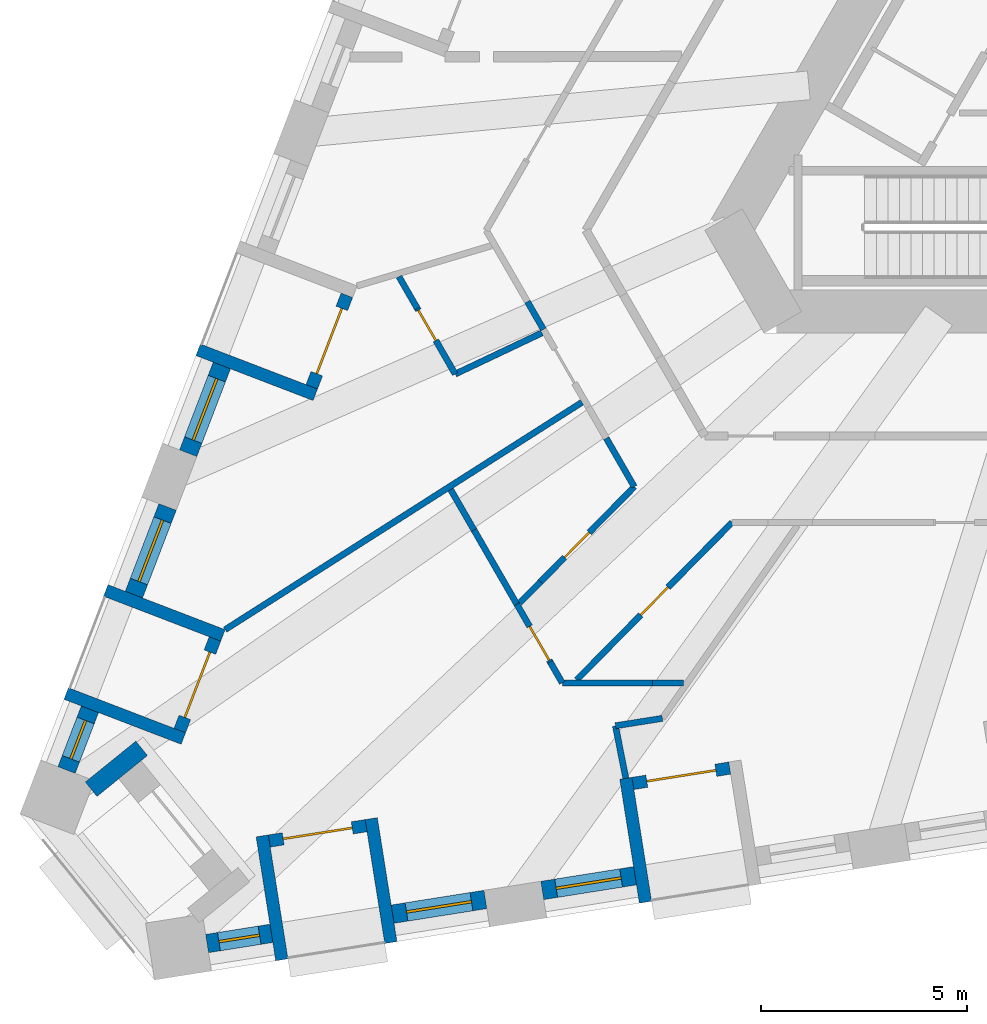
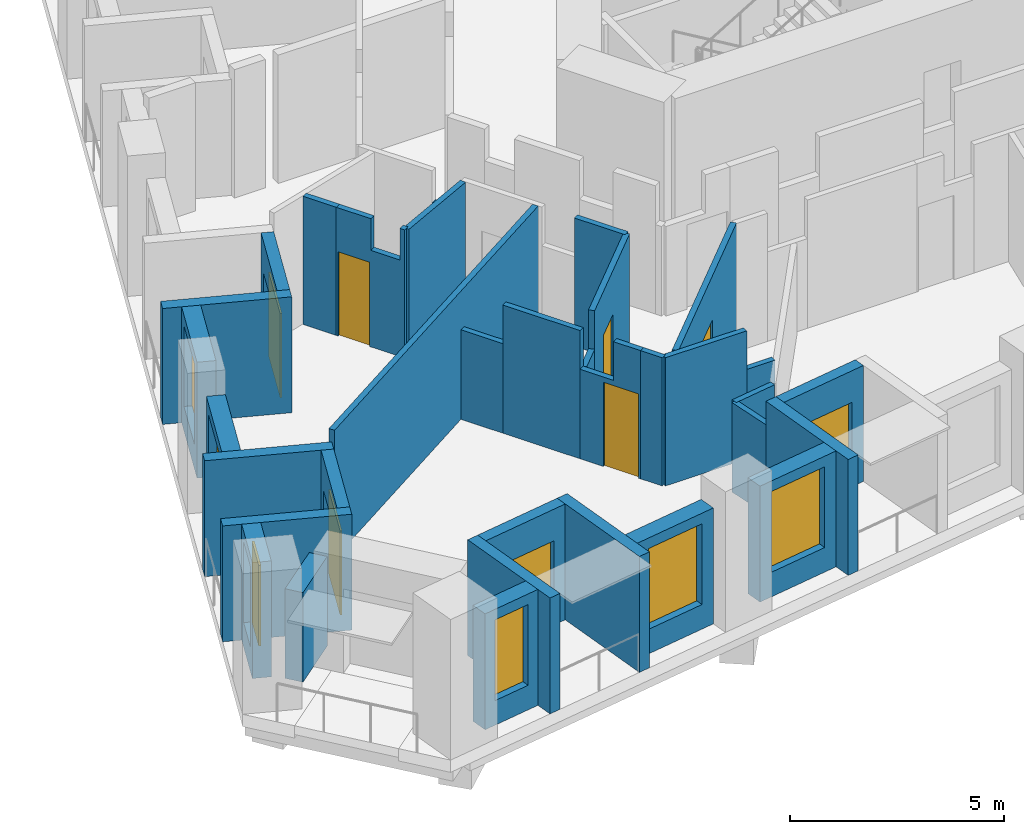
# One storey, part 2 of 14: 34 walls, 8 doors, 6 windows, 14 openings.
"""IFC4 building model written with IfcOpenShell, lengths in metres."""

from ifc_helpers import new_model, si_unit, direction, frame, frame_2d, origin, place, context, subcontext, project, spatial, polyline, rectangle, outline, extrude, material, layer, layer_set, type_object, element, fill, save


model = new_model("IFC4")

# Units and contexts
model_context = context("Model", 3, precision=1e-05, world=origin(), true_north=direction((0.0, 1.0)))
body_context = subcontext(model_context, "Body", "Model", "MODEL_VIEW")
ifc_project = project(units=[si_unit("LENGTHUNIT", "METRE"), si_unit("AREAUNIT", "SQUARE_METRE"), si_unit("VOLUMEUNIT", "CUBIC_METRE"), si_unit("PLANEANGLEUNIT", "RADIAN"), si_unit("MASSUNIT", "GRAM", prefix="KILO")], contexts=[model_context])

# Site, building, storey
site_placement = place(None, origin())
site = spatial("IfcSite", under=ifc_project, at=site_placement, CompositionType="ELEMENT")
building_placement = place(site_placement, origin())
building = spatial("IfcBuilding", under=site, at=building_placement, Name="Tramontana Tower", CompositionType="ELEMENT")
storey_placement = place(building_placement, frame((0.0, 0.0, 67.199951171875)))
storey = spatial("IfcBuildingStorey", under=building, at=storey_placement, Name="L14", CompositionType="ELEMENT", Elevation=67.199951171875)

# Wall, opening, window
ifc_material_1 = material(Name="Precast concrete 60 MPa", Category="concrete")
ifc_layer_1 = layer(ifc_material_1, 0.449951171875)
ifc_layer_set_1 = layer_set([ifc_layer_1], Name="Precast concrete 60 MPa, 450 mm")
wall_type_1 = type_object("IfcWallType", Name="EW1 Stone-faced precast wall 450", PredefinedType="SOLIDWALL", material=ifc_layer_set_1)
wall_1_placement = place(storey_placement, frame((-21.986083984375, -7.536376953125, 0.0), z_axis=(0.0, 0.0, 1.0), x_axis=(-0.358355550725, -0.933585185864, 0.0)))
wall_1 = element("IfcWall", 1, at=wall_1_placement, inside=storey, type_object=wall_type_1, Name="External wall L14 face 0 bay 5", PredefinedType="SOLIDWALL", context=body_context, shape_type="SweptSolid", body=[
    extrude(rectangle(XDim=2.282958984375, YDim=0.449951171875, at=frame_2d((1.1416015625, 0.0))), origin(), (0.0, 0.0, 1.0), 3.300048828125),
])
opening_1_placement = place(wall_1_placement, frame((0.341552734375, 0.0, 0.699951171875)))
opening_1 = element("IfcOpeningElement", 2, at=opening_1_placement, cuts=wall_1, Name="Opening M1", PredefinedType="OPENING", context=body_context, shape_type="SweptSolid", body=[
    extrude(rectangle(XDim=1.60009765625, YDim=2.300048828125, at=frame_2d((0.800048828125, 1.14990234375))), frame((0.0, 0.23486328125, 0.0), z_axis=(0.0, -1.0, 0.0), x_axis=(1.0, 0.0, 0.0)), (0.0, 0.0, 1.0), 0.469970703125),
])
ifc_material_2 = material(Name="Aluminum frame, double glazing unit", Category="aluminium")
window_type_1 = type_object("IfcWindowType", Name="M1 Window 1.6 x 2.3", PartitioningType="SINGLE_PANEL", PredefinedType="WINDOW", material=ifc_material_2)
window_1_placement = place(opening_1_placement, origin())
window_1 = element("IfcWindow", 3, at=window_1_placement, inside=storey, type_object=window_type_1, Name="Window M1 L14 face 0 module 15", OverallHeight=2.300048828125, OverallWidth=1.60009765625, PartitioningType="SINGLE_PANEL", PredefinedType="WINDOW", context=body_context, shape_type="SweptSolid", body=[
    extrude(rectangle(XDim=1.60009765625, YDim=2.300048828125, at=frame_2d((0.800048828125, 1.14990234375))), frame((0.0, 0.030029296875, 0.0), z_axis=(0.0, -1.0, 0.0), x_axis=(1.0, 0.0, 0.0)), (0.0, 0.0, 1.0), 0.06005859375),
])
fill(opening_1, window_1)

wall_2_placement = place(storey_placement, frame((-23.305908203125, -10.974609375, 0.0), z_axis=(0.0, 0.0, 1.0), x_axis=(-0.358355550725, -0.933585185864, 0.0)))
wall_2 = element("IfcWall", 4, at=wall_2_placement, inside=storey, type_object=wall_type_1, Name="External wall L14 face 0 bay 6", PredefinedType="SOLIDWALL", context=body_context, shape_type="SweptSolid", body=[
    extrude(rectangle(XDim=2.282958984375, YDim=0.449951171875, at=frame_2d((1.1416015625, 0.0))), origin(), (0.0, 0.0, 1.0), 3.300048828125),
])
opening_2_placement = place(wall_2_placement, frame((0.341552734375, 0.0, 0.699951171875)))
opening_2 = element("IfcOpeningElement", 5, at=opening_2_placement, cuts=wall_2, Name="Opening M1", PredefinedType="OPENING", context=body_context, shape_type="SweptSolid", body=[
    extrude(rectangle(XDim=1.60009765625, YDim=2.300048828125, at=frame_2d((0.800048828125, 1.14990234375))), frame((0.0, 0.23486328125, 0.0), z_axis=(0.0, -1.0, 0.0), x_axis=(1.0, 0.0, 0.0)), (0.0, 0.0, 1.0), 0.469970703125),
])
window_2_placement = place(opening_2_placement, origin())
window_2 = element("IfcWindow", 6, at=window_2_placement, inside=storey, type_object=window_type_1, Name="Window M1 L14 face 0 module 16", OverallHeight=2.300048828125, OverallWidth=1.60009765625, PartitioningType="SINGLE_PANEL", PredefinedType="WINDOW", context=body_context, shape_type="SweptSolid", body=[
    extrude(rectangle(XDim=1.60009765625, YDim=2.300048828125, at=frame_2d((0.800048828125, 1.14990234375))), frame((0.0, 0.030029296875, 0.0), z_axis=(0.0, -1.0, 0.0), x_axis=(1.0, 0.0, 0.0)), (0.0, 0.0, 1.0), 0.06005859375),
])
fill(opening_2, window_2)

wall_3_placement = place(storey_placement, frame((-25.193115234375, -15.890869140625, 0.0), z_axis=(0.0, 0.0, 1.0), x_axis=(-0.358431261356, -0.933556120907, 0.0)))
wall_3 = element("IfcWall", 7, at=wall_3_placement, inside=storey, type_object=wall_type_1, Name="External wall L14 face 0 bay 6", PredefinedType="SOLIDWALL", context=body_context, shape_type="SweptSolid", body=[
    extrude(rectangle(XDim=1.5830078125, YDim=0.449951171875, at=frame_2d((0.79150390625, 0.0))), origin(), (0.0, 0.0, 1.0), 3.300048828125),
])
opening_3_placement = place(wall_3_placement, frame((0.29150390625, 0.0, 0.699951171875)))
opening_3 = element("IfcOpeningElement", 8, at=opening_3_placement, cuts=wall_3, Name="Opening N1", PredefinedType="OPENING", context=body_context, shape_type="SweptSolid", body=[
    extrude(rectangle(XDim=1.0, YDim=2.300048828125, at=frame_2d((0.5, 1.14990234375))), frame((0.0, 0.23486328125, 0.0), z_axis=(0.0, -1.0, 0.0), x_axis=(1.0, 0.0, 0.0)), (0.0, 0.0, 1.0), 0.469970703125),
])
ifc_material_3 = material(Name="Aluminum frame, double glazing unit", Category="aluminium")
window_type_2 = type_object("IfcWindowType", Name="N1 Window 1 x 2.3", PartitioningType="SINGLE_PANEL", PredefinedType="WINDOW", material=ifc_material_3)
window_3_placement = place(opening_3_placement, origin())
window_3 = element("IfcWindow", 9, at=window_3_placement, inside=storey, type_object=window_type_2, Name="Window N1 L14 face 0 module 18", OverallHeight=2.300048828125, OverallWidth=1.0, PartitioningType="SINGLE_PANEL", PredefinedType="WINDOW", context=body_context, shape_type="SweptSolid", body=[
    extrude(rectangle(XDim=1.0, YDim=2.300048828125, at=frame_2d((0.5, 1.14990234375))), frame((0.0, 0.030029296875, 0.0), z_axis=(0.0, -1.0, 0.0), x_axis=(1.0, 0.0, 0.0)), (0.0, 0.0, 1.0), 0.06005859375),
])
fill(opening_3, window_3)

wall_4_placement = place(storey_placement, frame((-22.344970703125, -21.586181640625, 0.0), z_axis=(0.0, 0.0, 1.0), x_axis=(0.987695344573, 0.156390237257, 0.0)))
wall_4 = element("IfcWall", 10, at=wall_4_placement, inside=storey, type_object=wall_type_1, Name="External wall L14 face 1 bay 1", PredefinedType="SOLIDWALL", context=body_context, shape_type="SweptSolid", body=[
    extrude(rectangle(XDim=1.5830078125, YDim=0.449951171875, at=frame_2d((0.79150390625, 0.0))), origin(), (0.0, 0.0, 1.0), 3.300048828125),
])
opening_4_placement = place(wall_4_placement, frame((0.29150390625, 0.0, 0.699951171875)))
opening_4 = element("IfcOpeningElement", 11, at=opening_4_placement, cuts=wall_4, Name="Opening N1", PredefinedType="OPENING", context=body_context, shape_type="SweptSolid", body=[
    extrude(rectangle(XDim=1.0, YDim=2.300048828125, at=frame_2d((0.5, 1.14990234375))), frame((0.0, 0.23486328125, 0.0), z_axis=(0.0, -1.0, 0.0), x_axis=(1.0, 0.0, 0.0)), (0.0, 0.0, 1.0), 0.469970703125),
])
window_4_placement = place(opening_4_placement, origin())
window_4 = element("IfcWindow", 12, at=window_4_placement, inside=storey, type_object=window_type_2, Name="Window N1 L14 face 1 module 1", OverallHeight=2.300048828125, OverallWidth=1.0, PartitioningType="SINGLE_PANEL", PredefinedType="WINDOW", context=body_context, shape_type="SweptSolid", body=[
    extrude(rectangle(XDim=1.0, YDim=2.300048828125, at=frame_2d((0.5, 1.14990234375))), frame((0.0, 0.030029296875, 0.0), z_axis=(0.0, -1.0, 0.0), x_axis=(1.0, 0.0, 0.0)), (0.0, 0.0, 1.0), 0.06005859375),
])
fill(opening_4, window_4)

wall_5_placement = place(storey_placement, frame((-17.835205078125, -20.8720703125, 0.0), z_axis=(0.0, 0.0, 1.0), x_axis=(0.987685675151, 0.156451293065, 0.0)))
wall_5 = element("IfcWall", 13, at=wall_5_placement, inside=storey, type_object=wall_type_1, Name="External wall L14 face 1 bay 1", PredefinedType="SOLIDWALL", context=body_context, shape_type="SweptSolid", body=[
    extrude(rectangle(XDim=2.282958984375, YDim=0.449951171875, at=frame_2d((1.1416015625, 0.0))), origin(), (0.0, 0.0, 1.0), 3.300048828125),
])
opening_5_placement = place(wall_5_placement, frame((0.341552734375, 0.0, 0.699951171875)))
opening_5 = element("IfcOpeningElement", 14, at=opening_5_placement, cuts=wall_5, Name="Opening M1", PredefinedType="OPENING", context=body_context, shape_type="SweptSolid", body=[
    extrude(rectangle(XDim=1.60009765625, YDim=2.300048828125, at=frame_2d((0.800048828125, 1.14990234375))), frame((0.0, 0.23486328125, 0.0), z_axis=(0.0, -1.0, 0.0), x_axis=(1.0, 0.0, 0.0)), (0.0, 0.0, 1.0), 0.469970703125),
])
window_5_placement = place(opening_5_placement, origin())
window_5 = element("IfcWindow", 15, at=window_5_placement, inside=storey, type_object=window_type_1, Name="Window M1 L14 face 1 module 3", OverallHeight=2.300048828125, OverallWidth=1.60009765625, PartitioningType="SINGLE_PANEL", PredefinedType="WINDOW", context=body_context, shape_type="SweptSolid", body=[
    extrude(rectangle(XDim=1.60009765625, YDim=2.300048828125, at=frame_2d((0.800048828125, 1.14990234375))), frame((0.0, 0.030029296875, 0.0), z_axis=(0.0, -1.0, 0.0), x_axis=(1.0, 0.0, 0.0)), (0.0, 0.0, 1.0), 0.06005859375),
])
fill(opening_5, window_5)

wall_6_placement = place(storey_placement, frame((-14.19775390625, -20.2958984375, 0.0), z_axis=(0.0, 0.0, 1.0), x_axis=(0.987685675151, 0.156451293065, 0.0)))
wall_6 = element("IfcWall", 16, at=wall_6_placement, inside=storey, type_object=wall_type_1, Name="External wall L14 face 1 bay 2", PredefinedType="SOLIDWALL", context=body_context, shape_type="SweptSolid", body=[
    extrude(rectangle(XDim=2.282958984375, YDim=0.449951171875, at=frame_2d((1.1416015625, 0.0))), origin(), (0.0, 0.0, 1.0), 3.300048828125),
])
opening_6_placement = place(wall_6_placement, frame((0.341552734375, 0.0, 0.699951171875)))
opening_6 = element("IfcOpeningElement", 17, at=opening_6_placement, cuts=wall_6, Name="Opening M1", PredefinedType="OPENING", context=body_context, shape_type="SweptSolid", body=[
    extrude(rectangle(XDim=1.60009765625, YDim=2.300048828125, at=frame_2d((0.800048828125, 1.14990234375))), frame((0.0, 0.23486328125, 0.0), z_axis=(0.0, -1.0, 0.0), x_axis=(1.0, 0.0, 0.0)), (0.0, 0.0, 1.0), 0.469970703125),
])
window_6_placement = place(opening_6_placement, origin())
window_6 = element("IfcWindow", 18, at=window_6_placement, inside=storey, type_object=window_type_1, Name="Window M1 L14 face 1 module 4", OverallHeight=2.300048828125, OverallWidth=1.60009765625, PartitioningType="SINGLE_PANEL", PredefinedType="WINDOW", context=body_context, shape_type="SweptSolid", body=[
    extrude(rectangle(XDim=1.60009765625, YDim=2.300048828125, at=frame_2d((0.800048828125, 1.14990234375))), frame((0.0, 0.030029296875, 0.0), z_axis=(0.0, -1.0, 0.0), x_axis=(1.0, 0.0, 0.0)), (0.0, 0.0, 1.0), 0.06005859375),
])
fill(opening_6, window_6)

# Wall
wall_7_placement = place(storey_placement, frame((-25.162841796875, -17.835205078125, 0.0), z_axis=(0.0, 0.0, 1.0), x_axis=(0.777129655516, 0.629340526677, 0.0)))
element("IfcWall", 19, at=wall_7_placement, inside=storey, type_object=wall_type_1, Name="Corner loggia side wall L14 K11r", PredefinedType="SOLIDWALL", context=body_context, shape_type="SweptSolid", body=[
    extrude(rectangle(XDim=1.579345703125, YDim=0.449951171875, at=frame_2d((0.78955078125, 0.0))), origin(), (0.0, 0.0, 1.0), 2.550048828125),
])

# Wall, opening, door
ifc_material_4 = material(Name="Precast concrete 60 MPa", Category="concrete")
ifc_layer_2 = layer(ifc_material_4, 0.300048828125)
ifc_layer_set_2 = layer_set([ifc_layer_2], Name="LW1 Stone-faced loggia wall 300")
wall_type_2 = type_object("IfcWallType", Name="LW1 Stone-faced loggia wall 300", PredefinedType="SOLIDWALL", material=ifc_layer_set_2)
wall_8_placement = place(storey_placement, frame((-18.947265625, -5.828857421875, 0.0), z_axis=(0.0, 0.0, 1.0), x_axis=(-0.358354292693, -0.933585668757, 0.0)))
wall_8 = element("IfcWall", 20, at=wall_8_placement, inside=storey, type_object=wall_type_2, Name="Loggia wall L14 G1S0.13", PredefinedType="SOLIDWALL", context=body_context, shape_type="SweptSolid", body=[
    extrude(rectangle(XDim=2.383056640625, YDim=0.300048828125, at=frame_2d((1.19140625, 0.0))), origin(), (0.0, 0.0, 1.0), 3.300048828125),
])
opening_7_placement = place(wall_8_placement, frame((0.341552734375, 0.0, 0.0)))
opening_7 = element("IfcOpeningElement", 21, at=opening_7_placement, cuts=wall_8, Name="Opening BD-1S0-13", PredefinedType="OPENING", context=body_context, shape_type="SweptSolid", body=[
    extrude(rectangle(XDim=1.699951171875, YDim=2.39990234375, at=frame_2d((0.85009765625, 1.199951171875))), frame((0.0, 0.159912109375, 0.0), z_axis=(0.0, -1.0, 0.0), x_axis=(1.0, 0.0, 0.0)), (0.0, 0.0, 1.0), 0.320068359375),
])
ifc_material_5 = material(Name="Aluminum frame, double glazing unit", Category="aluminium")
door_type_1 = type_object("IfcDoorType", Name="BD1 Sliding door 1.7 x 2.4", OperationType="SLIDING_TO_LEFT", PredefinedType="DOOR", material=ifc_material_5)
door_1_placement = place(opening_7_placement, origin())
door_1 = element("IfcDoor", 22, at=door_1_placement, inside=storey, type_object=door_type_1, Name="Loggia door L14 G1S0.13", OperationType="SLIDING_TO_LEFT", OverallHeight=2.39990234375, OverallWidth=1.699951171875, PredefinedType="DOOR", context=body_context, shape_type="SweptSolid", body=[
    extrude(rectangle(XDim=1.699951171875, YDim=2.39990234375, at=frame_2d((0.85009765625, 1.199951171875))), frame((0.0, 0.02490234375, 0.0), z_axis=(0.0, -1.0, 0.0), x_axis=(1.0, 0.0, 0.0)), (0.0, 0.0, 1.0), 0.050048828125),
])
fill(opening_7, door_1)

# Wall
wall_9_placement = place(storey_placement, frame((-22.5625, -7.154296875, 0.0), z_axis=(0.0, 0.0, 1.0), x_axis=(0.933580593625, -0.358367514161, 0.0)))
element("IfcWall", 23, at=wall_9_placement, inside=storey, type_object=wall_type_2, Name="Loggia return L14 G1S0.13b", PredefinedType="SOLIDWALL", context=body_context, shape_type="SweptSolid", body=[
    extrude(rectangle(XDim=3.050048828125, YDim=0.300048828125, at=frame_2d((1.52490234375, 0.0))), origin(), (0.0, 0.0, 1.0), 3.300048828125),
])

# Wall, opening, door
wall_10_placement = place(storey_placement, frame((-22.154296875, -14.18359375, 0.0), z_axis=(0.0, 0.0, 1.0), x_axis=(-0.35838856932, -0.933572511046, 0.0)))
wall_10 = element("IfcWall", 24, at=wall_10_placement, inside=storey, type_object=wall_type_2, Name="Loggia wall L14 G1S0.16", PredefinedType="SOLIDWALL", context=body_context, shape_type="SweptSolid", body=[
    extrude(rectangle(XDim=2.3828125, YDim=0.300048828125, at=frame_2d((1.19140625, 0.0))), origin(), (0.0, 0.0, 1.0), 3.300048828125),
])
opening_8_placement = place(wall_10_placement, frame((0.341552734375, 0.0, 0.0)))
opening_8 = element("IfcOpeningElement", 25, at=opening_8_placement, cuts=wall_10, Name="Opening BD-1S0-16", PredefinedType="OPENING", context=body_context, shape_type="SweptSolid", body=[
    extrude(rectangle(XDim=1.699951171875, YDim=2.39990234375, at=frame_2d((0.85009765625, 1.199951171875))), frame((0.0, 0.159912109375, 0.0), z_axis=(0.0, -1.0, 0.0), x_axis=(1.0, 0.0, 0.0)), (0.0, 0.0, 1.0), 0.320068359375),
])
door_2_placement = place(opening_8_placement, origin())
door_2 = element("IfcDoor", 26, at=door_2_placement, inside=storey, type_object=door_type_1, Name="Loggia door L14 G1S0.16", OperationType="SLIDING_TO_LEFT", OverallHeight=2.39990234375, OverallWidth=1.699951171875, PredefinedType="DOOR", context=body_context, shape_type="SweptSolid", body=[
    extrude(rectangle(XDim=1.699951171875, YDim=2.39990234375, at=frame_2d((0.85009765625, 1.199951171875))), frame((0.0, 0.02490234375, 0.0), z_axis=(0.0, -1.0, 0.0), x_axis=(1.0, 0.0, 0.0)), (0.0, 0.0, 1.0), 0.050048828125),
])
fill(opening_8, door_2)

# Walls
for number, where, z_axis, x_axis, name in (
    (27, (-24.80810546875, -13.004150390625, 0.0), (0.0, 0.0, 1.0), (0.933580593625, -0.358367514161, 0.0), "Loggia return L14 G1S0.16a"),
    (28, (-25.76953125, -15.509033203125, 0.0), (0.0, 0.0, 1.0), (0.933580593625, -0.358367514161, 0.0), "Loggia return L14 G1S0.16b"),
):
    element("IfcWall", number, at=place(storey_placement, frame(where, z_axis=z_axis, x_axis=x_axis)), inside=storey, type_object=wall_type_2, Name=name, PredefinedType="SOLIDWALL", context=body_context, shape_type="SweptSolid", body=[
        extrude(rectangle(XDim=3.050048828125, YDim=0.300048828125, at=frame_2d((1.52490234375, 0.0))), origin(), (0.0, 0.0, 1.0), 3.300048828125),
    ])

# Wall, opening, door
wall_11_placement = place(storey_placement, frame((-20.833251953125, -19.09423828125, 0.0), z_axis=(0.0, 0.0, 1.0), x_axis=(0.987685586014, 0.156451855793, 0.0)))
wall_11 = element("IfcWall", 29, at=wall_11_placement, inside=storey, type_object=wall_type_2, Name="Loggia wall L14 G1S1.1", PredefinedType="SOLIDWALL", context=body_context, shape_type="SweptSolid", body=[
    extrude(rectangle(XDim=2.3828125, YDim=0.300048828125, at=frame_2d((1.19140625, 0.0))), origin(), (0.0, 0.0, 1.0), 3.300048828125),
])
opening_9_placement = place(wall_11_placement, frame((0.341552734375, 0.0, 0.0)))
opening_9 = element("IfcOpeningElement", 30, at=opening_9_placement, cuts=wall_11, Name="Opening BD-1S1-01", PredefinedType="OPENING", context=body_context, shape_type="SweptSolid", body=[
    extrude(rectangle(XDim=1.699951171875, YDim=2.39990234375, at=frame_2d((0.85009765625, 1.199951171875))), frame((0.0, 0.159912109375, 0.0), z_axis=(0.0, -1.0, 0.0), x_axis=(1.0, 0.0, 0.0)), (0.0, 0.0, 1.0), 0.320068359375),
])
door_3_placement = place(opening_9_placement, origin())
door_3 = element("IfcDoor", 31, at=door_3_placement, inside=storey, type_object=door_type_1, Name="Loggia door L14 G1S1.1", OperationType="SLIDING_TO_LEFT", OverallHeight=2.39990234375, OverallWidth=1.699951171875, PredefinedType="DOOR", context=body_context, shape_type="SweptSolid", body=[
    extrude(rectangle(XDim=1.699951171875, YDim=2.39990234375, at=frame_2d((0.85009765625, 1.199951171875))), frame((0.0, 0.02490234375, 0.0), z_axis=(0.0, -1.0, 0.0), x_axis=(1.0, 0.0, 0.0)), (0.0, 0.0, 1.0), 0.050048828125),
])
fill(opening_9, door_3)

# Walls
for number, where, z_axis, x_axis, name in (
    (32, (-20.52783203125, -21.98193359375, 0.0), (0.0, 0.0, 1.0), (-0.156410600741, 0.987692120033, 0.0), "Loggia return L14 G1S1.1a"),
    (33, (-17.8779296875, -21.562255859375, 0.0), (0.0, 0.0, 1.0), (-0.156410600741, 0.987692120033, 0.0), "Loggia return L14 G1S1.1b"),
):
    element("IfcWall", number, at=place(storey_placement, frame(where, z_axis=z_axis, x_axis=x_axis)), inside=storey, type_object=wall_type_2, Name=name, PredefinedType="SOLIDWALL", context=body_context, shape_type="SweptSolid", body=[
        extrude(rectangle(XDim=3.050048828125, YDim=0.300048828125, at=frame_2d((1.52490234375, 0.0))), origin(), (0.0, 0.0, 1.0), 3.300048828125),
    ])

# Wall, opening, door
wall_12_placement = place(storey_placement, frame((-11.99462890625, -17.694091796875, 0.0), z_axis=(0.0, 0.0, 1.0), x_axis=(0.98770391772, 0.156336083232, 0.0)))
wall_12 = element("IfcWall", 34, at=wall_12_placement, inside=storey, type_object=wall_type_2, Name="Loggia wall L14 G1S1.4", PredefinedType="SOLIDWALL", context=body_context, shape_type="SweptSolid", body=[
    extrude(rectangle(XDim=2.383056640625, YDim=0.300048828125, at=frame_2d((1.19140625, 0.0))), origin(), (0.0, 0.0, 1.0), 3.300048828125),
])
opening_10_placement = place(wall_12_placement, frame((0.341552734375, 0.0, 0.0)))
opening_10 = element("IfcOpeningElement", 35, at=opening_10_placement, cuts=wall_12, Name="Opening BD-1S1-04", PredefinedType="OPENING", context=body_context, shape_type="SweptSolid", body=[
    extrude(rectangle(XDim=1.699951171875, YDim=2.39990234375, at=frame_2d((0.85009765625, 1.199951171875))), frame((0.0, 0.159912109375, 0.0), z_axis=(0.0, -1.0, 0.0), x_axis=(1.0, 0.0, 0.0)), (0.0, 0.0, 1.0), 0.320068359375),
])
door_4_placement = place(opening_10_placement, origin())
door_4 = element("IfcDoor", 36, at=door_4_placement, inside=storey, type_object=door_type_1, Name="Loggia door L14 G1S1.4", OperationType="SLIDING_TO_LEFT", OverallHeight=2.39990234375, OverallWidth=1.699951171875, PredefinedType="DOOR", context=body_context, shape_type="SweptSolid", body=[
    extrude(rectangle(XDim=1.699951171875, YDim=2.39990234375, at=frame_2d((0.85009765625, 1.199951171875))), frame((0.0, 0.02490234375, 0.0), z_axis=(0.0, -1.0, 0.0), x_axis=(1.0, 0.0, 0.0)), (0.0, 0.0, 1.0), 0.050048828125),
])
fill(opening_10, door_4)

# Walls
wall_13_placement = place(storey_placement, frame((-11.68896484375, -20.58203125, 0.0), z_axis=(0.0, 0.0, 1.0), x_axis=(-0.156488687365, 0.987679751097, 0.0)))
element("IfcWall", 37, at=wall_13_placement, inside=storey, type_object=wall_type_2, Name="Loggia return L14 G1S1.4a", PredefinedType="SOLIDWALL", context=body_context, shape_type="SweptSolid", body=[
    extrude(rectangle(XDim=3.050048828125, YDim=0.300048828125, at=frame_2d((1.52490234375, 0.0))), origin(), (0.0, 0.0, 1.0), 3.300048828125),
])
ifc_material_6 = material(Name="Gypsum board partition")
ifc_layer_3 = layer(ifc_material_6, 0.14990234375)
ifc_layer_set_3 = layer_set([ifc_layer_3], Name="PARTITION 150")
wall_type_3 = type_object("IfcWallType", Name="PARTITION 150", PredefinedType="PARTITIONING", material=ifc_layer_set_3)
wall_14_placement = place(storey_placement, frame((-21.90673828125, -13.95703125, 0.0), z_axis=(0.0, 0.0, 1.0), x_axis=(0.843381833226, 0.537314696789, 0.0)))
element("IfcWall", 38, at=wall_14_placement, inside=storey, type_object=wall_type_3, Name="Wall v11-pw00", PredefinedType="PARTITIONING", context=body_context, shape_type="SweptSolid", body=[
    extrude(rectangle(XDim=10.28515625, YDim=0.14990234375, at=frame_2d((5.142578125, 0.0))), origin(), (0.0, 0.0, 1.0), 3.650146484375),
])

# Wall, opening, door
wall_15_placement = place(storey_placement, frame((-17.23486328125, -6.1484375, 0.0), z_axis=(0.0, 0.0, 1.0), x_axis=(0.500001589341, -0.866024486176, 0.0)))
wall_15 = element("IfcWall", 39, at=wall_15_placement, inside=storey, type_object=wall_type_3, Name="Wall v11-pw03-0", PredefinedType="PARTITIONING", context=body_context, shape_type="SweptSolid", body=[
    extrude(outline(polyline([(0.0, 0.0), (1.84228515625, 0.0), (1.84228515625, 3.650146484375), (1.713623046875, 3.650146484375), (1.713623046875, 2.75), (0.93408203125, 2.75), (0.93408203125, 3.650146484375), (0.0, 3.650146484375), (0.0, 0.0)])), frame((0.0, 0.074951171875, 0.0), z_axis=(0.0, -1.0, 0.0), x_axis=(1.0, 0.0, 0.0)), (0.0, 0.0, 1.0), 0.14990234375),
])
opening_11_placement = place(wall_15_placement, frame((0.050048828125, 0.0, 0.0)))
opening_11 = element("IfcOpeningElement", 40, at=opening_11_placement, cuts=wall_15, Name="Opening B1B-18", PredefinedType="OPENING", context=body_context, shape_type="SweptSolid", body=[
    extrude(rectangle(XDim=0.85009765625, YDim=2.39990234375, at=frame_2d((0.425048828125, 1.199951171875))), frame((0.0, 0.0849609375, 0.0), z_axis=(0.0, -1.0, 0.0), x_axis=(1.0, 0.0, 0.0)), (0.0, 0.0, 1.0), 0.169921875),
])
ifc_material_7 = material(Name="Painted timber", Category="wood")
door_type_2 = type_object("IfcDoorType", Name="DOOR BATH 850", OperationType="SINGLE_SWING_LEFT", PredefinedType="DOOR", material=ifc_material_7)
door_5_placement = place(opening_11_placement, origin())
door_5 = element("IfcDoor", 41, at=door_5_placement, inside=storey, type_object=door_type_2, Name="Door B1B-18", OperationType="SINGLE_SWING_RIGHT", OverallHeight=2.39990234375, OverallWidth=0.85009765625, PredefinedType="DOOR", context=body_context, shape_type="SweptSolid", body=[
    extrude(rectangle(XDim=0.85009765625, YDim=2.39990234375, at=frame_2d((0.425048828125, 1.199951171875))), frame((0.0, 0.02490234375, 0.0), z_axis=(0.0, -1.0, 0.0), x_axis=(1.0, 0.0, 0.0)), (0.0, 0.0, 1.0), 0.050048828125),
])
fill(opening_11, door_5)

# Walls
wall_16_placement = place(storey_placement, frame((-17.23486328125, -6.1484375, 0.0), z_axis=(0.0, 0.0, 1.0), x_axis=(-0.499935638681, 0.86606255962, 0.0)))
element("IfcWall", 42, at=wall_16_placement, inside=storey, type_object=wall_type_3, Name="Wall v11-pw03-1", PredefinedType="PARTITIONING", context=body_context, shape_type="SweptSolid", body=[
    extrude(rectangle(XDim=0.89208984375, YDim=0.14990234375, at=frame_2d((0.446044921875, 0.0))), origin(), (0.0, 0.0, 1.0), 3.650146484375),
])
wall_17_placement = place(storey_placement, frame((-14.7470703125, -13.307373046875, 0.0), z_axis=(0.0, 0.0, 1.0), x_axis=(0.702386148925, 0.711796106901, 0.0)))
element("IfcWall", 43, at=wall_17_placement, inside=storey, type_object=wall_type_3, Name="Wall v11-pw06-0", PredefinedType="PARTITIONING", context=body_context, shape_type="SweptSolid", body=[
    extrude(rectangle(XDim=0.7265625, YDim=0.14990234375, at=frame_2d((0.36328125, 0.0))), origin(), (0.0, 0.0, 1.0), 2.550048828125),
])

# Wall, opening, door
wall_18_placement = place(storey_placement, frame((-14.23681640625, -12.790283203125, 0.0), z_axis=(0.0, 0.0, 1.0), x_axis=(0.702344771422, 0.711836935018, 0.0)))
wall_18 = element("IfcWall", 44, at=wall_18_placement, inside=storey, type_object=wall_type_3, Name="Wall v11-pw06-1", PredefinedType="PARTITIONING", context=body_context, shape_type="SweptSolid", body=[
    extrude(rectangle(XDim=3.24072265625, YDim=0.14990234375, at=frame_2d((1.620361328125, 0.0))), origin(), (0.0, 0.0, 1.0), 3.650146484375),
])
opening_12_placement = place(wall_18_placement, frame((0.832275390625, 0.0, 0.0)))
opening_12 = element("IfcOpeningElement", 45, at=opening_12_placement, cuts=wall_18, Name="Opening B1B-13", PredefinedType="OPENING", context=body_context, shape_type="SweptSolid", body=[
    extrude(rectangle(XDim=0.85009765625, YDim=2.39990234375, at=frame_2d((0.425048828125, 1.199951171875))), frame((0.0, 0.0849609375, 0.0), z_axis=(0.0, -1.0, 0.0), x_axis=(1.0, 0.0, 0.0)), (0.0, 0.0, 1.0), 0.169921875),
])
door_6_placement = place(opening_12_placement, origin())
door_6 = element("IfcDoor", 46, at=door_6_placement, inside=storey, type_object=door_type_2, Name="Door B1B-13", OperationType="SINGLE_SWING_LEFT", OverallHeight=2.39990234375, OverallWidth=0.85009765625, PredefinedType="DOOR", context=body_context, shape_type="SweptSolid", body=[
    extrude(rectangle(XDim=0.85009765625, YDim=2.39990234375, at=frame_2d((0.425048828125, 1.199951171875))), frame((0.0, 0.02490234375, 0.0), z_axis=(0.0, -1.0, 0.0), x_axis=(1.0, 0.0, 0.0)), (0.0, 0.0, 1.0), 0.050048828125),
])
fill(opening_12, door_6)

# Walls
wall_19_placement = place(storey_placement, frame((-14.20654296875, -6.74365234375, 0.0), z_axis=(0.0, 0.0, 1.0), x_axis=(-0.903388013423, -0.428824086548, 0.0)))
element("IfcWall", 47, at=wall_19_placement, inside=storey, type_object=wall_type_3, Name="Wall v11-pw07", PredefinedType="PARTITIONING", context=body_context, shape_type="SweptSolid", body=[
    extrude(rectangle(XDim=2.33251953125, YDim=0.14990234375, at=frame_2d((1.166259765625, 0.0))), origin(), (0.0, 0.0, 1.0), 3.650146484375),
])
wall_20_placement = place(storey_placement, frame((-13.712158203125, -15.25, 0.0), z_axis=(0.0, 0.0, 1.0), x_axis=(-0.499867053809, 0.866102146699, 0.0)))
element("IfcWall", 48, at=wall_20_placement, inside=storey, type_object=wall_type_3, Name="Wall v11-pw08-0", PredefinedType="PARTITIONING", context=body_context, shape_type="SweptSolid", body=[
    extrude(rectangle(XDim=0.584716796875, YDim=0.14990234375, at=frame_2d((0.29248046875, 0.0))), origin(), (0.0, 0.0, 1.0), 3.650146484375),
])

# Wall, opening, door
wall_21_placement = place(storey_placement, frame((-14.00439453125, -14.74365234375, 0.0), z_axis=(0.0, 0.0, 1.0), x_axis=(-0.499999813892, 0.866025511234, 0.0)))
wall_21 = element("IfcWall", 49, at=wall_21_placement, inside=storey, type_object=wall_type_3, Name="Wall v11-pw08-1", PredefinedType="PARTITIONING", context=body_context, shape_type="SweptSolid", body=[
    extrude(outline(polyline([(0.0, 0.0), (1.62548828125, 0.0), (1.62548828125, 2.550048828125), (0.7265625, 2.550048828125), (0.7265625, 3.650146484375), (0.0, 3.650146484375), (0.0, 0.0)])), frame((0.0, 0.074951171875, 0.0), z_axis=(0.0, -1.0, 0.0), x_axis=(1.0, 0.0, 0.0)), (0.0, 0.0, 1.0), 0.14990234375),
])
opening_13_placement = place(wall_21_placement, frame((0.050048828125, 0.0, 0.0)))
opening_13 = element("IfcOpeningElement", 50, at=opening_13_placement, cuts=wall_21, Name="Opening B1B-14", PredefinedType="OPENING", context=body_context, shape_type="SweptSolid", body=[
    extrude(rectangle(XDim=0.949951171875, YDim=2.39990234375, at=frame_2d((0.47509765625, 1.199951171875))), frame((0.0, 0.0849609375, 0.0), z_axis=(0.0, -1.0, 0.0), x_axis=(1.0, 0.0, 0.0)), (0.0, 0.0, 1.0), 0.169921875),
])
ifc_material_8 = material(Name="Painted timber", Category="wood")
door_type_3 = type_object("IfcDoorType", Name="DOOR ROOM 950", OperationType="SINGLE_SWING_LEFT", PredefinedType="DOOR", material=ifc_material_8)
door_7_placement = place(opening_13_placement, origin())
door_7 = element("IfcDoor", 51, at=door_7_placement, inside=storey, type_object=door_type_3, Name="Door B1B-14", OperationType="SINGLE_SWING_RIGHT", OverallHeight=2.39990234375, OverallWidth=0.949951171875, PredefinedType="DOOR", context=body_context, shape_type="SweptSolid", body=[
    extrude(rectangle(XDim=0.949951171875, YDim=2.39990234375, at=frame_2d((0.47509765625, 1.199951171875))), frame((0.0, 0.02490234375, 0.0), z_axis=(0.0, -1.0, 0.0), x_axis=(1.0, 0.0, 0.0)), (0.0, 0.0, 1.0), 0.050048828125),
])
fill(opening_13, door_7)

# Walls
wall_22_placement = place(storey_placement, frame((-14.817138671875, -13.3359375, 0.0), z_axis=(0.0, 0.0, 1.0), x_axis=(-0.500027264788, 0.866009661879, 0.0)))
element("IfcWall", 52, at=wall_22_placement, inside=storey, type_object=wall_type_3, Name="Wall v11-pw08-2", PredefinedType="PARTITIONING", context=body_context, shape_type="SweptSolid", body=[
    extrude(rectangle(XDim=2.080078125, YDim=0.14990234375, at=frame_2d((1.0400390625, 0.0))), origin(), (0.0, 0.0, 1.0), 3.650146484375),
])
wall_23_placement = place(storey_placement, frame((-15.857177734375, -11.53466796875, 0.0), z_axis=(0.0, 0.0, 1.0), x_axis=(-0.499915118794, 0.866074404425, 0.0)))
element("IfcWall", 53, at=wall_23_placement, inside=storey, type_object=wall_type_3, Name="Wall v11-pw08-3", PredefinedType="PARTITIONING", context=body_context, shape_type="SweptSolid", body=[
    extrude(rectangle(XDim=1.133544921875, YDim=0.14990234375, at=frame_2d((0.56689453125, 0.0))), origin(), (0.0, 0.0, 1.0), 2.550048828125),
])
wall_24_placement = place(storey_placement, frame((-12.4189453125, -16.295166015625, 0.0), z_axis=(0.0, 0.0, 1.0), x_axis=(0.19448969742, -0.980904560902, 0.0)))
element("IfcWall", 54, at=wall_24_placement, inside=storey, type_object=wall_type_3, Name="Wall v11-pw09-0", PredefinedType="PARTITIONING", context=body_context, shape_type="SweptSolid", body=[
    extrude(rectangle(XDim=1.29931640625, YDim=0.14990234375, at=frame_2d((0.649658203125, 0.0))), origin(), (0.0, 0.0, 1.0), 2.550048828125),
])
wall_25_placement = place(storey_placement, frame((-11.960693359375, -10.4833984375, 0.0), z_axis=(0.0, 0.0, 1.0), x_axis=(-0.500032730183, 0.86600650618, 0.0)))
element("IfcWall", 55, at=wall_25_placement, inside=storey, type_object=wall_type_3, Name="Wall v11-pw11-0", PredefinedType="PARTITIONING", context=body_context, shape_type="SweptSolid", body=[
    extrude(rectangle(XDim=1.3623046875, YDim=0.14990234375, at=frame_2d((0.68115234375, 0.0))), origin(), (0.0, 0.0, 1.0), 3.650146484375),
])
wall_26_placement = place(storey_placement, frame((-14.168212890625, -6.659912109375, 0.0), z_axis=(0.0, 0.0, 1.0), x_axis=(-0.500011542666, 0.866018739521, 0.0)))
element("IfcWall", 56, at=wall_26_placement, inside=storey, type_object=wall_type_3, Name="Wall v11-pw11-3", PredefinedType="PARTITIONING", context=body_context, shape_type="SweptSolid", body=[
    extrude(rectangle(XDim=0.77978515625, YDim=0.14990234375, at=frame_2d((0.389892578125, 0.0))), origin(), (0.0, 0.0, 1.0), 2.75),
])
wall_27_placement = place(storey_placement, frame((-11.278076171875, -16.112548828125, 0.0), z_axis=(0.0, 0.0, 1.0), x_axis=(-0.987689053529, -0.156429963686, 0.0)))
element("IfcWall", 57, at=wall_27_placement, inside=storey, type_object=wall_type_3, Name="Wall v11-pw12-0", PredefinedType="PARTITIONING", context=body_context, shape_type="SweptSolid", body=[
    extrude(rectangle(XDim=1.1533203125, YDim=0.14990234375, at=frame_2d((0.57666015625, 0.0))), origin(), (0.0, 0.0, 1.0), 2.550048828125),
])
wall_28_placement = place(storey_placement, frame((-10.76611328125, -15.25, 0.0), z_axis=(0.0, 0.0, 1.0), x_axis=(-1.0, 0.0, 0.0)))
element("IfcWall", 58, at=wall_28_placement, inside=storey, type_object=wall_type_3, Name="Wall v11-pw17-0", PredefinedType="PARTITIONING", context=body_context, shape_type="SweptSolid", body=[
    extrude(rectangle(XDim=0.75439453125, YDim=0.14990234375, at=frame_2d((0.377197265625, 0.0))), origin(), (0.0, 0.0, 1.0), 2.550048828125),
])
wall_29_placement = place(storey_placement, frame((-11.5205078125, -15.25, 0.0), z_axis=(0.0, 0.0, 1.0), x_axis=(-1.0, 0.0, 0.0)))
element("IfcWall", 59, at=wall_29_placement, inside=storey, type_object=wall_type_3, Name="Wall v11-pw17-1", PredefinedType="PARTITIONING", context=body_context, shape_type="SweptSolid", body=[
    extrude(rectangle(XDim=2.191650390625, YDim=0.14990234375, at=frame_2d((1.095703125, 0.0))), origin(), (0.0, 0.0, 1.0), 3.650146484375),
])

# Wall, opening, door
wall_30_placement = place(storey_placement, frame((-9.58447265625, -11.35009765625, 0.0), z_axis=(0.0, 0.0, 1.0), x_axis=(-0.702388865943, -0.711793425791, 0.0)))
wall_30 = element("IfcWall", 60, at=wall_30_placement, inside=storey, type_object=wall_type_3, Name="Wall v11-pw19", PredefinedType="PARTITIONING", context=body_context, shape_type="SweptSolid", body=[
    extrude(rectangle(XDim=5.373779296875, YDim=0.14990234375, at=frame_2d((2.68701171875, 0.0))), origin(), (0.0, 0.0, 1.0), 3.650146484375),
])
opening_14_placement = place(wall_30_placement, frame((2.2119140625, 0.0, 0.0)))
opening_14 = element("IfcOpeningElement", 61, at=opening_14_placement, cuts=wall_30, Name="Opening B1B-12", PredefinedType="OPENING", context=body_context, shape_type="SweptSolid", body=[
    extrude(rectangle(XDim=0.949951171875, YDim=2.39990234375, at=frame_2d((0.47509765625, 1.199951171875))), frame((0.0, 0.0849609375, 0.0), z_axis=(0.0, -1.0, 0.0), x_axis=(1.0, 0.0, 0.0)), (0.0, 0.0, 1.0), 0.169921875),
])
door_8_placement = place(opening_14_placement, origin())
door_8 = element("IfcDoor", 62, at=door_8_placement, inside=storey, type_object=door_type_3, Name="Door B1B-12", OperationType="SINGLE_SWING_RIGHT", OverallHeight=2.39990234375, OverallWidth=0.949951171875, PredefinedType="DOOR", context=body_context, shape_type="SweptSolid", body=[
    extrude(rectangle(XDim=0.949951171875, YDim=2.39990234375, at=frame_2d((0.47509765625, 1.199951171875))), frame((0.0, 0.02490234375, 0.0), z_axis=(0.0, -1.0, 0.0), x_axis=(1.0, 0.0, 0.0)), (0.0, 0.0, 1.0), 0.050048828125),
])
fill(opening_14, door_8)

save(model, "model.ifc")
